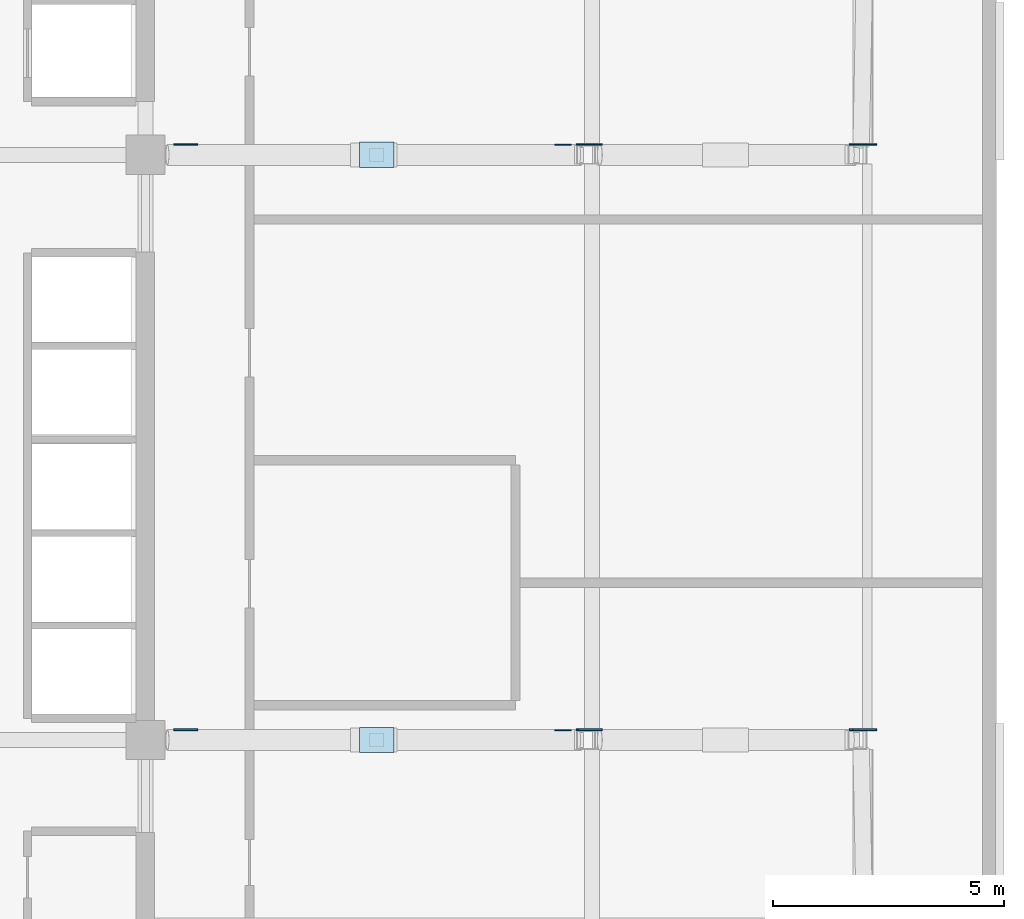
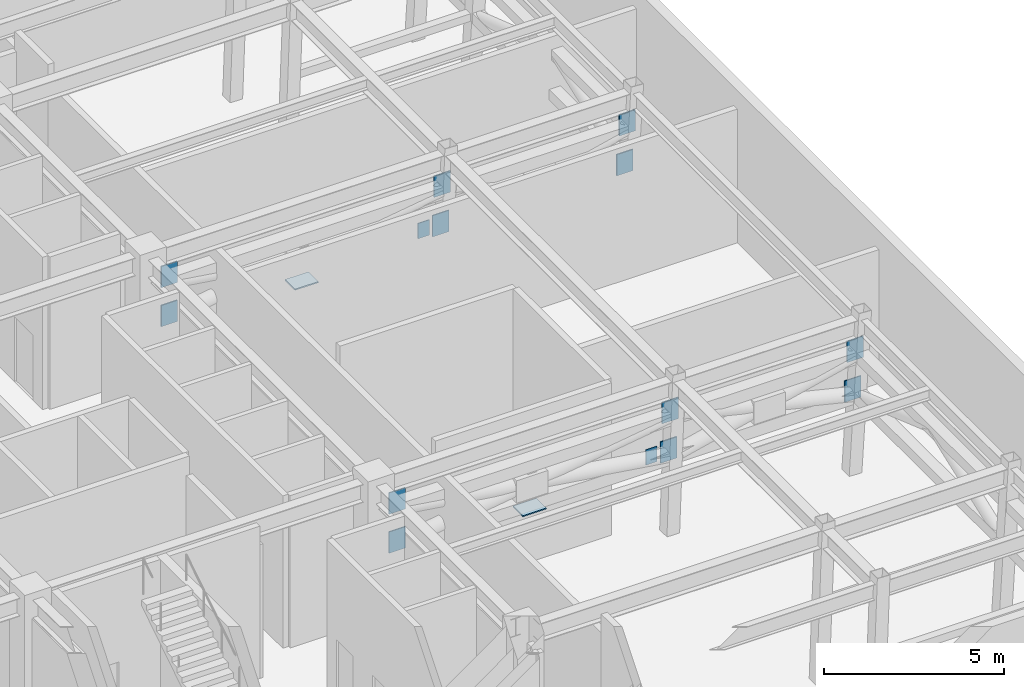
# One storey, part 5 of 12: 16 plates.
"""IFC4 building model written with IfcOpenShell, lengths in metres."""

import ifcopenshell
import ifcopenshell.guid

model = None  # the IFC model being written
_history = None  # IfcOwnerHistory: only IFC2X3 demands one
_inside = {}  # id of a spatial element -> (the spatial element, [elements in it])
_under = {}  # id of a project, library or spatial element -> (it, [spatial elements below it])
_declared = {}  # id of a project -> (the project, [libraries it declares])
_typed = {}  # id of a type object -> (the type object, [elements of that type])
_made_of = {}  # id of a material, layer set ... -> (it, [elements and type objects made of it])


def new_model(schema):
    """Start an empty IFC model of exactly this schema.

    Asked for "IFC4X3", IfcOpenShell would pick the latest addendum, in which some entities
    have other attributes; the version numbers below select the first issue.
    IFC2X3 requires an IfcOwnerHistory on every rooted entity: one is made here for all.
    """
    global model, _history
    if schema == "IFC4X3":
        model = ifcopenshell.file(schema_version=(4, 3, 0, 0))
    else:
        model = ifcopenshell.file(schema=schema)
    _inside.clear()
    _under.clear()
    _declared.clear()
    _typed.clear()
    _made_of.clear()
    _history = None
    if model.schema == "IFC2X3":
        org = make("IfcOrganization", Name="unknown")
        user = make(
            "IfcPersonAndOrganization",
            ThePerson=make("IfcPerson", FamilyName="unknown"),
            TheOrganization=org,
        )
        app = make(
            "IfcApplication",
            ApplicationDeveloper=org,
            Version="unknown",
            ApplicationFullName="unknown",
            ApplicationIdentifier="unknown",
        )
        _history = make(
            "IfcOwnerHistory",
            OwningUser=user,
            OwningApplication=app,
            ChangeAction="ADDED",
            CreationDate=0,
        )
    return model


def make(cls, **values):
    """One entity of the class cls with the attributes given. An attribute that is None is left unset."""
    return model.create_entity(
        cls, **{name: value for name, value in values.items() if value is not None}
    )


def rooted(cls, **values):
    """An entity with a GlobalId (a new one), such as an element, a storey or a relation."""
    return make(cls, GlobalId=ifcopenshell.guid.new(), OwnerHistory=_history, **values)


def si_unit(unit_type, name, prefix=None):
    """IfcSIUnit, for example si_unit("LENGTHUNIT", "METRE", prefix="MILLI")."""
    return make("IfcSIUnit", UnitType=unit_type, Prefix=prefix, Name=name)


def assignment(units):
    """IfcUnitAssignment: the units of a project."""
    return None if units is None else make("IfcUnitAssignment", Units=units)


def point(xyz):
    """IfcCartesianPoint."""
    return None if xyz is None else make("IfcCartesianPoint", Coordinates=xyz)


def direction(xyz):
    """IfcDirection."""
    return None if xyz is None else make("IfcDirection", DirectionRatios=xyz)


def frame(location, z_axis=None, x_axis=None):
    """IfcAxis2Placement3D, a coordinate frame: its origin and axes. An axis left out is left unset."""
    return make(
        "IfcAxis2Placement3D",
        Location=point(location),
        Axis=direction(z_axis),
        RefDirection=direction(x_axis),
    )


def frame_2d(location, x_axis=None):
    """IfcAxis2Placement2D, a coordinate frame in the plane: its origin and x axis."""
    return make(
        "IfcAxis2Placement2D", Location=point(location), RefDirection=direction(x_axis)
    )


def origin():
    """The frame at (0, 0, 0) with its axes left unset."""
    return frame((0.0, 0.0, 0.0))


def origin_2d():
    """The frame at (0, 0) in the plane with its x axis left unset."""
    return frame_2d((0.0, 0.0))


def place(relative_to, where):
    """IfcLocalPlacement: puts the frame where relative to a parent placement (None: the world)."""
    return make(
        "IfcLocalPlacement", PlacementRelTo=relative_to, RelativePlacement=where
    )


def context(
    kind, dimensions, precision=None, world=None, true_north=None, identifier=None
):
    """IfcGeometricRepresentationContext, for example the 3D "Model" context."""
    return make(
        "IfcGeometricRepresentationContext",
        ContextIdentifier=identifier,
        ContextType=kind,
        CoordinateSpaceDimension=dimensions,
        Precision=precision,
        WorldCoordinateSystem=world,
        TrueNorth=true_north,
    )


def subcontext(parent, identifier, kind, view, scale=None):
    """IfcGeometricRepresentationSubContext, for example "Body" below "Model"."""
    return make(
        "IfcGeometricRepresentationSubContext",
        ContextIdentifier=identifier,
        ContextType=kind,
        ParentContext=parent,
        TargetScale=scale,
        TargetView=view,
    )


def project(units=None, contexts=None):
    """IfcProject with its units and contexts."""
    return rooted(
        "IfcProject",
        Name="project",
        RepresentationContexts=contexts,
        UnitsInContext=assignment(units),
    )


def spatial(cls, under=None, at=None, **own):
    """A site, building, storey or space (cls), placed at a placement, below another one or the project."""
    s = rooted(cls, ObjectPlacement=at, **own)
    if under is not None:
        _under.setdefault(under.id(), (under, []))[1].append(s)
    return s


def profile(cls, at=None, kind="AREA", **sizes):
    """A parametric profile (cls). Its sizes go by their IFC names, for example OverallWidth=200.0."""
    return make(cls, ProfileType=kind, Position=at, **sizes)


def rectangle(**sizes):
    """IfcRectangleProfileDef."""
    return profile("IfcRectangleProfileDef", **sizes)


def extrude(swept, where, along, depth):
    """IfcExtrudedAreaSolid: the profile swept, set in the frame where, extruded along a direction by depth."""
    return make(
        "IfcExtrudedAreaSolid",
        SweptArea=swept,
        Position=where,
        ExtrudedDirection=direction(along),
        Depth=depth,
    )


def shape(context_of_items, identifier, shape_type, items):
    """IfcShapeRepresentation: the items that make up one representation, for example the "Body"."""
    return make(
        "IfcShapeRepresentation",
        ContextOfItems=context_of_items,
        RepresentationIdentifier=identifier,
        RepresentationType=shape_type,
        Items=items,
    )


def material(Name=None, Category=None):
    """IfcMaterial."""
    return make("IfcMaterial", Name=Name, Category=Category)


def layer(
    of_material, thickness, ventilated=None, Name=None, Category=None, Priority=None
):
    """IfcMaterialLayer: one layer of a wall or slab, of a material (None: an air gap)."""
    return make(
        "IfcMaterialLayer",
        Material=of_material,
        LayerThickness=thickness,
        IsVentilated=ventilated,
        Name=Name,
        Category=Category,
        Priority=Priority,
    )


def layer_set(layers, Name=None):
    """IfcMaterialLayerSet."""
    return make("IfcMaterialLayerSet", MaterialLayers=layers, LayerSetName=Name)


def made_of(thing, what):
    """Note that an element or type object is made of a material, layer set ...; save() writes the relation."""
    if what is not None:
        _made_of.setdefault(what.id(), (what, []))[1].append(thing)
    return thing


def type_object(cls, material=None, **own):
    """A type object (cls), such as IfcWallType, which elements share."""
    return made_of(rooted(cls, **own), material)


def element(
    cls,
    number,
    at=None,
    inside=None,
    cuts=None,
    type_object=None,
    material=None,
    context=None,
    identifier="Body",
    shape_type=None,
    held_by="IfcProductDefinitionShape",
    body=None,
    shapes=None,
    **own,
):
    """One element of the class cls, such as IfcWall. Its Tag is "e" and its number.

    at: its placement. inside: the storey or other place that contains it. cuts: it is an
    opening in that element (IfcRelVoidsElement). A single representation is given by context,
    identifier, shape_type and body (its items); several are given by shapes. held_by: the class
    of the entity that holds the representations. save() writes the other relations.
    """
    e = rooted(cls, Tag="e%d" % number, ObjectPlacement=at, **own)
    if body is not None:
        shapes = [shape(context, identifier, shape_type, body)]
    if shapes is not None:
        e.Representation = make(held_by, Representations=shapes)
    if inside is not None:
        _inside.setdefault(inside.id(), (inside, []))[1].append(e)
    if cuts is not None:
        rooted(
            "IfcRelVoidsElement", RelatingBuildingElement=cuts, RelatedOpeningElement=e
        )
    if type_object is not None:
        _typed.setdefault(type_object.id(), (type_object, []))[1].append(e)
    return made_of(e, material)


def aggregate(whole, parts):
    """IfcRelAggregates: a whole, such as a stair, and the parts it consists of."""
    return rooted("IfcRelAggregates", RelatingObject=whole, RelatedObjects=parts)


def save(model, path):
    """Write the relations noted so far, then the file.

    IfcRelAggregates (storeys below a building ...), IfcRelContainedInSpatialStructure (elements
    in a storey), IfcRelDefinesByType, IfcRelAssociatesMaterial and IfcRelDeclares: one each for
    every whole, place, type object, material and project.
    """
    for whole, parts in _under.values():
        aggregate(whole, parts)
    for where, things in _inside.values():
        rooted(
            "IfcRelContainedInSpatialStructure",
            RelatedElements=things,
            RelatingStructure=where,
        )
    for kind, things in _typed.values():
        rooted("IfcRelDefinesByType", RelatedObjects=things, RelatingType=kind)
    for what, things in _made_of.values():
        rooted("IfcRelAssociatesMaterial", RelatedObjects=things, RelatingMaterial=what)
    for by, libraries in _declared.values():
        rooted("IfcRelDeclares", RelatingContext=by, RelatedDefinitions=libraries)
    model.write(path)


model = new_model("IFC4")

# Units and contexts
model_context = context("Model", 3, precision=1e-05, world=origin(), true_north=direction((0.0, 1.0)))
body_context = subcontext(model_context, "Body", "Model", "MODEL_VIEW")
ifc_project = project(units=[si_unit("LENGTHUNIT", "METRE"), si_unit("AREAUNIT", "SQUARE_METRE"), si_unit("VOLUMEUNIT", "CUBIC_METRE"), si_unit("PLANEANGLEUNIT", "RADIAN"), si_unit("MASSUNIT", "GRAM", prefix="KILO")], contexts=[model_context])

# Site, building, storey
site_placement = place(None, origin())
site = spatial("IfcSite", under=ifc_project, at=site_placement, CompositionType="ELEMENT")
building_placement = place(site_placement, origin())
building = spatial("IfcBuilding", under=site, at=building_placement, Name="Ochreholt Gables", CompositionType="ELEMENT")
storey_placement = place(building_placement, frame((0.0, 0.0, 135.60009765625)))
storey = spatial("IfcBuildingStorey", under=building, at=storey_placement, Name="L35", CompositionType="ELEMENT", Elevation=135.60009765625)

# Plates
ifc_material = material(Name="Steel CSA G40.21 350W", Category="steel")
ifc_layer_1 = layer(ifc_material, 0.0400390625, Name="Steel CSA G40.21 350W")
ifc_layer_set_1 = layer_set([ifc_layer_1], Name="Steel CSA G40.21 350W")
plate_type_1 = type_object("IfcPlateType", Name="PLT-BASE-40", PredefinedType="USERDEFINED", material=ifc_layer_set_1)
for number, where, z_axis, x_axis, name in (
    (1, (40.19873046875, 17.550048828125, 2.357177734375), (0.0, 0.0, 1.0), (1.0, 0.0, 0.0), "L35 Outrigger Node Base Plate S"),
    (2, (40.19873046875, 30.199951171875, 2.357177734375), (0.0, 0.0, 1.0), (1.0, 0.0, 0.0), "L35 Outrigger Node Base Plate N"),
):
    element("IfcPlate", number, at=place(storey_placement, frame(where, z_axis=z_axis, x_axis=x_axis)), inside=storey, type_object=plate_type_1, Name=name, ObjectType="BASE PLATE", PredefinedType="USERDEFINED", context=body_context, shape_type="SweptSolid", body=[
        extrude(rectangle(XDim=0.75, YDim=0.550048828125, at=origin_2d()), origin(), (0.0, 0.0, 1.0), 0.0400390625),
    ])
ifc_layer_2 = layer(ifc_material, 0.0380859375, Name="Steel CSA G40.21 350W")
ifc_layer_set_2 = layer_set([ifc_layer_2], Name="Steel CSA G40.21 350W")
plate_type_2 = type_object("IfcPlateType", Name="PLT-GUSSET-38", PredefinedType="USERDEFINED", material=ifc_layer_set_2)
for number, where, z_axis, x_axis, name in (
    (3, (44.77294921875, 17.771484375, 2.23974609375), (0.0, 0.0, 1.0), (1.0, 0.0, 0.0), "L35 Outrigger End Gusset Plate SM1"),
    (4, (44.819091796875, 17.771484375, 3.56005859375), (0.0, 0.0, 1.0), (1.0, 0.0, 0.0), "L35 Outrigger End Gusset Plate SM2"),
    (5, (50.67236328125, 17.771484375, 2.23974609375), (0.0, 0.0, 1.0), (1.0, 0.0, 0.0), "L35 Outrigger End Gusset Plate SE1"),
    (6, (50.7490234375, 17.771484375, 3.56005859375), (0.0, 0.0, 1.0), (1.0, 0.0, 0.0), "L35 Outrigger End Gusset Plate SE2"),
    (7, (36.07470703125, 17.771484375, 2.23974609375), (0.0, 0.0, 1.0), (1.0, 0.0, 0.0), "L35 Outrigger Gusset Plate S1"),
    (8, (36.07470703125, 17.771484375, 3.56005859375), (0.0, 0.0, 1.0), (1.0, 0.0, 0.0), "L35 Outrigger Gusset Plate S2"),
    (9, (44.77294921875, 30.421630859375, 2.23974609375), (0.0, 0.0, 1.0), (1.0, 0.0, 0.0), "L35 Outrigger End Gusset Plate NM1"),
    (10, (44.819091796875, 30.421630859375, 3.56005859375), (0.0, 0.0, 1.0), (1.0, 0.0, 0.0), "L35 Outrigger End Gusset Plate NM2"),
    (11, (50.67236328125, 30.421630859375, 2.23974609375), (0.0, 0.0, 1.0), (1.0, 0.0, 0.0), "L35 Outrigger End Gusset Plate NE1"),
    (12, (50.7490234375, 30.421630859375, 3.56005859375), (0.0, 0.0, 1.0), (1.0, 0.0, 0.0), "L35 Outrigger End Gusset Plate NE2"),
    (13, (36.07470703125, 30.421630859375, 2.23974609375), (0.0, 0.0, 1.0), (1.0, 0.0, 0.0), "L35 Outrigger Gusset Plate N1"),
    (14, (36.07470703125, 30.421630859375, 3.56005859375), (0.0, 0.0, 1.0), (1.0, 0.0, 0.0), "L35 Outrigger Gusset Plate N2"),
):
    element("IfcPlate", number, at=place(storey_placement, frame(where, z_axis=z_axis, x_axis=x_axis)), inside=storey, type_object=plate_type_2, Name=name, ObjectType="GUSSET PLATE", PredefinedType="USERDEFINED", context=body_context, shape_type="SweptSolid", body=[
        extrude(rectangle(XDim=0.52001953125, YDim=0.0380859375, at=origin_2d()), origin(), (0.0, 0.0, 1.0), 0.719970703125),
    ])
ifc_layer_3 = layer(ifc_material, 0.02392578125, Name="Steel CSA G40.21 350W")
ifc_layer_set_3 = layer_set([ifc_layer_3], Name="Steel CSA G40.21 350W")
plate_type_3 = type_object("IfcPlateType", Name="PLT-STIFF-24", PredefinedType="SHEET", material=ifc_layer_set_3)
for number, where, z_axis, x_axis, name in (
    (15, (44.222900390625, 17.7646484375, 2.33984375), (0.0, 0.0, 1.0), (1.0, 0.0, 0.0), "L35 Outrigger Web Stiffener S"),
    (16, (44.222900390625, 30.41455078125, 2.33984375), (0.0, 0.0, 1.0), (1.0, 0.0, 0.0), "L35 Outrigger Web Stiffener N"),
):
    element("IfcPlate", number, at=place(storey_placement, frame(where, z_axis=z_axis, x_axis=x_axis)), inside=storey, type_object=plate_type_3, Name=name, PredefinedType="SHEET", context=body_context, shape_type="SweptSolid", body=[
        extrude(rectangle(XDim=0.360107421875, YDim=0.02392578125, at=origin_2d()), origin(), (0.0, 0.0, 1.0), 0.52001953125),
    ])

save(model, "model.ifc")
